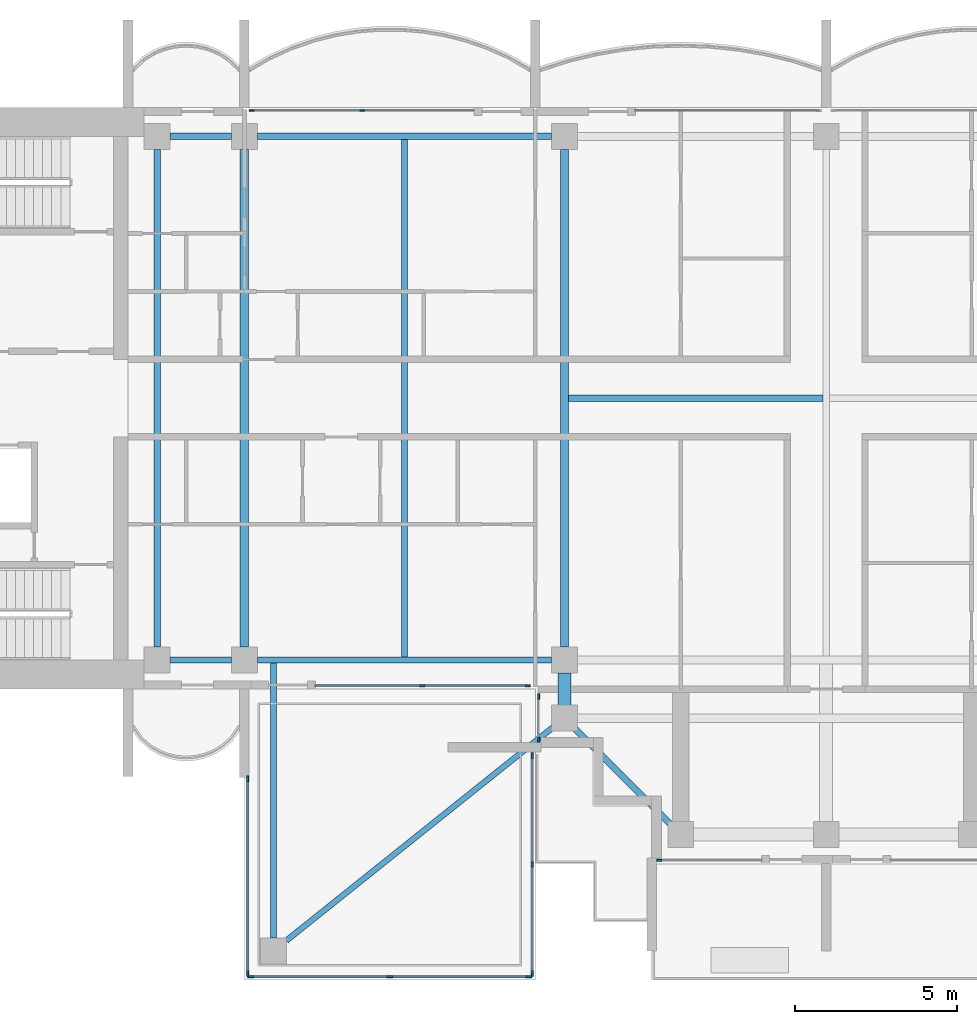
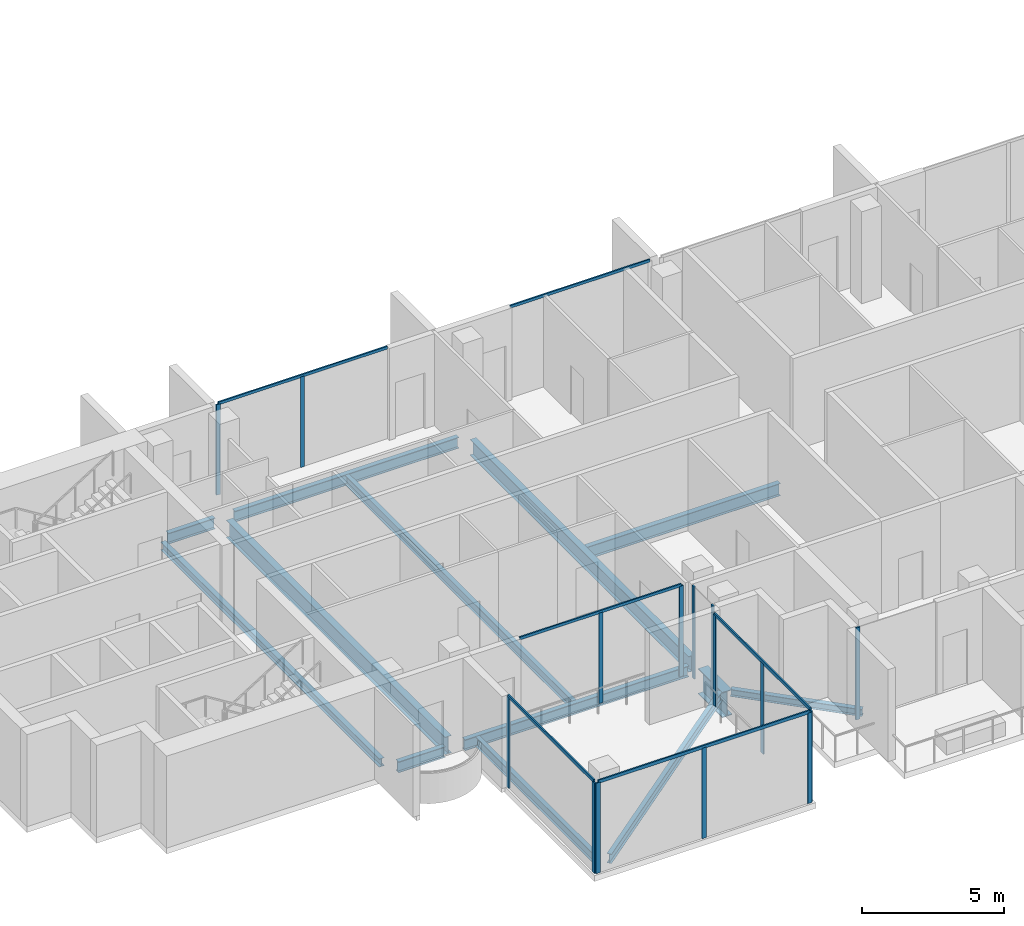
# One storey, part 2 of 16: 21 members, 13 beams, 8 elements without a shape of their own.
"""IFC4 building model written with IfcOpenShell, lengths in metres."""

from ifc_helpers import new_model, si_unit, direction, frame, origin, origin_2d, place, context, subcontext, project, spatial, rectangle, i_section, extrude, material, material_profile, profile_set, type_object, element, aggregate, save


model = new_model("IFC4")

# Units and contexts
model_context = context("Model", 3, precision=1e-05, world=origin(), true_north=direction((0.0, 1.0)))
body_context = subcontext(model_context, "Body", "Model", "MODEL_VIEW")
ifc_project = project(units=[si_unit("LENGTHUNIT", "METRE"), si_unit("AREAUNIT", "SQUARE_METRE"), si_unit("VOLUMEUNIT", "CUBIC_METRE"), si_unit("PLANEANGLEUNIT", "RADIAN"), si_unit("MASSUNIT", "GRAM", prefix="KILO")], contexts=[model_context])

# Site, building, storey
site_placement = place(None, origin())
site = spatial("IfcSite", under=ifc_project, at=site_placement, CompositionType="ELEMENT")
building_placement = place(site_placement, origin())
building = spatial("IfcBuilding", under=site, at=building_placement, Name="Perihelion Cross Residences", CompositionType="ELEMENT")
storey_placement = place(building_placement, frame((0.0, 0.0, 290.39990234375)))
storey = spatial("IfcBuildingStorey", under=building, at=storey_placement, Name="L74", CompositionType="ELEMENT", Elevation=290.39990234375)

# Curtain wall, members
ifc_material_1 = material(Name="Bronze anodised aluminium, tinted glazing", Category="aluminium")
curtain_wall_type_1 = type_object("IfcCurtainWallType", Name="CW1", PredefinedType="NOTDEFINED", material=ifc_material_1)
curtain_wall_1_placement = place(storey_placement, origin())
curtain_wall_1 = element("IfcCurtainWall", 1, at=curtain_wall_1_placement, inside=storey, type_object=curtain_wall_type_1, Name="Curtain wall CW1 L74 west side north bay 1", PredefinedType="NOTDEFINED")
ifc_material_2 = material(Name="Bronze anodised aluminium", Category="aluminium")
ifc_material_profile_1 = material_profile(ifc_material_2, rectangle(XDim=0.06005859375, YDim=0.159912109375, at=origin_2d()), Name="CW1 mullion")
ifc_profile_set_1 = profile_set([ifc_material_profile_1], Name="Bronze anodised aluminium")
member_type_1 = type_object("IfcMemberType", Name="CW1 mullion", PredefinedType="MULLION", material=ifc_profile_set_1)
member_1_placement = place(storey_placement, frame((-14.35009765625, 8.89990234375, 0.0), z_axis=(0.0, 0.0, 1.0), x_axis=(0.0, -1.0, 0.0)))
member_1 = element("IfcMember", 2, at=member_1_placement, type_object=member_type_1, Name="CW1 mullion 2", PredefinedType="MULLION", context=body_context, shape_type="SweptSolid", body=[
    extrude(rectangle(XDim=0.06005859375, YDim=0.159912109375, at=origin_2d()), origin(), (0.0, 0.0, 1.0), 3.89013671875),
])
member_2_placement = place(storey_placement, frame((-17.77001953125, 8.89990234375, 0.0), z_axis=(0.0, 0.0, 1.0), x_axis=(0.0, -1.0, 0.0)))
member_2 = element("IfcMember", 3, at=member_2_placement, type_object=member_type_1, Name="CW1 mullion 3", PredefinedType="MULLION", context=body_context, shape_type="SweptSolid", body=[
    extrude(rectangle(XDim=0.06005859375, YDim=0.159912109375, at=origin_2d()), origin(), (0.0, 0.0, 1.0), 3.89013671875),
])

curtain_wall_2_placement = place(storey_placement, origin())
curtain_wall_2 = element("IfcCurtainWall", 4, at=curtain_wall_2_placement, inside=storey, type_object=curtain_wall_type_1, Name="Curtain wall CW1 L74 west side south bay 2", PredefinedType="NOTDEFINED")
member_3_placement = place(storey_placement, frame((-12.5, -8.89990234375, 0.0), z_axis=(0.0, 0.0, 1.0), x_axis=(0.0, 1.0, 0.0)))
member_3 = element("IfcMember", 5, at=member_3_placement, type_object=member_type_1, Name="CW1 mullion 2", PredefinedType="MULLION", context=body_context, shape_type="SweptSolid", body=[
    extrude(rectangle(XDim=0.06005859375, YDim=0.159912109375, at=origin_2d()), origin(), (0.0, 0.0, 1.0), 3.89013671875),
])
member_4_placement = place(storey_placement, frame((-9.22998046875, -8.89990234375, 0.0), z_axis=(0.0, 0.0, 1.0), x_axis=(0.0, 1.0, 0.0)))
member_4 = element("IfcMember", 6, at=member_4_placement, type_object=member_type_1, Name="CW1 mullion 3", PredefinedType="MULLION", context=body_context, shape_type="SweptSolid", body=[
    extrude(rectangle(XDim=0.06005859375, YDim=0.159912109375, at=origin_2d()), origin(), (0.0, 0.0, 1.0), 3.89013671875),
])

curtain_wall_3_placement = place(storey_placement, origin())
curtain_wall_3 = element("IfcCurtainWall", 7, at=curtain_wall_3_placement, inside=storey, type_object=curtain_wall_type_1, Name="Curtain wall CW1 L74 south side west bay 1", PredefinedType="NOTDEFINED")
member_5_placement = place(storey_placement, frame((-8.89990234375, -9.22998046875, 0.0), z_axis=(0.0, 0.0, 1.0), x_axis=(1.0, 0.0, 0.0)))
member_5 = element("IfcMember", 8, at=member_5_placement, type_object=member_type_1, Name="CW1 mullion 1", PredefinedType="MULLION", context=body_context, shape_type="SweptSolid", body=[
    extrude(rectangle(XDim=0.06005859375, YDim=0.159912109375, at=origin_2d()), origin(), (0.0, 0.0, 1.0), 3.9501953125),
])
member_6_placement = place(storey_placement, frame((-8.89990234375, -10.570068359375, 0.0), z_axis=(0.0, 0.0, 1.0), x_axis=(1.0, 0.0, 0.0)))
member_6 = element("IfcMember", 9, at=member_6_placement, type_object=member_type_1, Name="CW1 mullion 2", PredefinedType="MULLION", context=body_context, shape_type="SweptSolid", body=[
    extrude(rectangle(XDim=0.06005859375, YDim=0.159912109375, at=origin_2d()), origin(), (0.0, 0.0, 1.0), 3.9501953125),
])
aggregate(curtain_wall_3, [member_5, member_6])

# Curtain wall, member
curtain_wall_4_placement = place(storey_placement, origin())
curtain_wall_4 = element("IfcCurtainWall", 10, at=curtain_wall_4_placement, inside=storey, type_object=curtain_wall_type_1, Name="Curtain wall CW1 L74 south tip south bay 1", PredefinedType="NOTDEFINED")
member_7_placement = place(storey_placement, frame((-5.169921875, -14.300048828125, 0.0), z_axis=(0.0, 0.0, 1.0), x_axis=(0.0, 1.0, 0.0)))
member_7 = element("IfcMember", 11, at=member_7_placement, type_object=member_type_1, Name="CW1 mullion 1", PredefinedType="MULLION", context=body_context, shape_type="SweptSolid", body=[
    extrude(rectangle(XDim=0.06005859375, YDim=0.159912109375, at=origin_2d()), origin(), (0.0, 0.0, 1.0), 3.9501953125),
])
aggregate(curtain_wall_4, [member_7])

curtain_wall_5_placement = place(storey_placement, origin())
curtain_wall_5 = element("IfcCurtainWall", 12, at=curtain_wall_5_placement, inside=storey, type_object=curtain_wall_type_1, Name="Curtain wall CW1 L74 north side east bay 2", PredefinedType="NOTDEFINED")
ifc_material_3 = material(Name="Bronze anodised aluminium", Category="aluminium")
ifc_material_profile_2 = material_profile(ifc_material_3, rectangle(XDim=0.06005859375, YDim=0.1201171875, at=origin_2d()), Name="CW1 transom")
ifc_profile_set_2 = profile_set([ifc_material_profile_2], Name="Bronze anodised aluminium")
member_type_2 = type_object("IfcMemberType", Name="CW1 transom", PredefinedType="USERDEFINED", material=ifc_profile_set_2)
member_8_placement = place(storey_placement, frame((-0.22998046875, 8.89990234375, 3.920166015625), z_axis=(-1.0, 0.0, 0.0), x_axis=(0.0, -1.0, 0.0)))
member_8 = element("IfcMember", 13, at=member_8_placement, type_object=member_type_2, Name="CW1 head transom", ObjectType="TRANSOM", PredefinedType="USERDEFINED", context=body_context, shape_type="SweptSolid", body=[
    extrude(rectangle(XDim=0.06005859375, YDim=0.1201171875, at=origin_2d()), origin(), (0.0, 0.0, 1.0), 5.669921875),
])
aggregate(curtain_wall_5, [member_8])

# Member
member_9_placement = place(storey_placement, frame((-10.89990234375, 8.89990234375, 3.920166015625), z_axis=(-1.0, 0.0, 0.0), x_axis=(0.0, -1.0, 0.0)))
member_9 = element("IfcMember", 14, at=member_9_placement, type_object=member_type_2, Name="CW1 head transom", ObjectType="TRANSOM", PredefinedType="USERDEFINED", context=body_context, shape_type="SweptSolid", body=[
    extrude(rectangle(XDim=0.06005859375, YDim=0.1201171875, at=origin_2d()), origin(), (0.0, 0.0, 1.0), 6.8701171875),
])

aggregate(curtain_wall_1, [member_1, member_2, member_9])

member_10_placement = place(storey_placement, frame((-15.800048828125, -8.89990234375, 3.920166015625), z_axis=(1.0, 0.0, 0.0), x_axis=(0.0, 1.0, 0.0)))
member_10 = element("IfcMember", 15, at=member_10_placement, type_object=member_type_2, Name="CW1 head transom", ObjectType="TRANSOM", PredefinedType="USERDEFINED", context=body_context, shape_type="SweptSolid", body=[
    extrude(rectangle(XDim=0.06005859375, YDim=0.1201171875, at=origin_2d()), origin(), (0.0, 0.0, 1.0), 6.570068359375),
])

aggregate(curtain_wall_2, [member_3, member_4, member_10])

# Curtain wall, members
ifc_material_4 = material(Name="Bronze anodised aluminium, tinted glazing", Category="aluminium")
curtain_wall_type_2 = type_object("IfcCurtainWallType", Name="CW4", PredefinedType="NOTDEFINED", material=ifc_material_4)
curtain_wall_6_placement = place(storey_placement, origin())
curtain_wall_6 = element("IfcCurtainWall", 16, at=curtain_wall_6_placement, inside=storey, type_object=curtain_wall_type_2, Name="Curtain wall CW4 L74 pocket south-west 1 1", PredefinedType="NOTDEFINED")
ifc_material_5 = material(Name="Bronze anodised aluminium", Category="aluminium")
ifc_material_profile_3 = material_profile(ifc_material_5, rectangle(XDim=0.06005859375, YDim=0.179931640625, at=origin_2d()), Name="CW4 mullion")
ifc_profile_set_3 = profile_set([ifc_material_profile_3], Name="Bronze anodised aluminium")
member_type_3 = type_object("IfcMemberType", Name="CW4 mullion", PredefinedType="MULLION", material=ifc_profile_set_3)
member_11_placement = place(storey_placement, frame((-9.10009765625, -11.058837890625, 0.0), z_axis=(0.0, 0.0, 1.0), x_axis=(1.0, 0.0, 0.0)))
member_11 = element("IfcMember", 17, at=member_11_placement, type_object=member_type_3, Name="CW4 mullion 1", PredefinedType="MULLION", context=body_context, shape_type="SweptSolid", body=[
    extrude(rectangle(XDim=0.06005859375, YDim=0.179931640625, at=origin_2d()), origin(), (0.0, 0.0, 1.0), 3.89013671875),
])
member_12_placement = place(storey_placement, frame((-9.10009765625, -14.429443359375, 0.0), z_axis=(0.0, 0.0, 1.0), x_axis=(1.0, 0.0, 0.0)))
member_12 = element("IfcMember", 18, at=member_12_placement, type_object=member_type_3, Name="CW4 mullion 2", PredefinedType="MULLION", context=body_context, shape_type="SweptSolid", body=[
    extrude(rectangle(XDim=0.06005859375, YDim=0.179931640625, at=origin_2d()), origin(), (0.0, 0.0, 1.0), 3.89013671875),
])
member_13_placement = place(storey_placement, frame((-9.10009765625, -17.800048828125, 0.0), z_axis=(0.0, 0.0, 1.0), x_axis=(1.0, 0.0, 0.0)))
member_13 = element("IfcMember", 19, at=member_13_placement, type_object=member_type_3, Name="CW4 mullion 3", PredefinedType="MULLION", context=body_context, shape_type="SweptSolid", body=[
    extrude(rectangle(XDim=0.06005859375, YDim=0.179931640625, at=origin_2d()), origin(), (0.0, 0.0, 1.0), 3.89013671875),
])

curtain_wall_7_placement = place(storey_placement, origin())
curtain_wall_7 = element("IfcCurtainWall", 20, at=curtain_wall_7_placement, inside=storey, type_object=curtain_wall_type_2, Name="Curtain wall CW4 L74 pocket south-west 1 2", PredefinedType="NOTDEFINED")
member_14_placement = place(storey_placement, frame((-9.199951171875, -17.89990234375, 0.0), z_axis=(0.0, 0.0, 1.0), x_axis=(0.0, -1.0, 0.0)))
member_14 = element("IfcMember", 21, at=member_14_placement, type_object=member_type_3, Name="CW4 mullion 1", PredefinedType="MULLION", context=body_context, shape_type="SweptSolid", body=[
    extrude(rectangle(XDim=0.06005859375, YDim=0.179931640625, at=origin_2d()), origin(), (0.0, 0.0, 1.0), 3.89013671875),
])
member_15_placement = place(storey_placement, frame((-13.5, -17.89990234375, 0.0), z_axis=(0.0, 0.0, 1.0), x_axis=(0.0, -1.0, 0.0)))
member_15 = element("IfcMember", 22, at=member_15_placement, type_object=member_type_3, Name="CW4 mullion 2", PredefinedType="MULLION", context=body_context, shape_type="SweptSolid", body=[
    extrude(rectangle(XDim=0.06005859375, YDim=0.179931640625, at=origin_2d()), origin(), (0.0, 0.0, 1.0), 3.89013671875),
])
member_16_placement = place(storey_placement, frame((-17.800048828125, -17.89990234375, 0.0), z_axis=(0.0, 0.0, 1.0), x_axis=(0.0, -1.0, 0.0)))
member_16 = element("IfcMember", 23, at=member_16_placement, type_object=member_type_3, Name="CW4 mullion 3", PredefinedType="MULLION", context=body_context, shape_type="SweptSolid", body=[
    extrude(rectangle(XDim=0.06005859375, YDim=0.179931640625, at=origin_2d()), origin(), (0.0, 0.0, 1.0), 3.89013671875),
])

curtain_wall_8_placement = place(storey_placement, origin())
curtain_wall_8 = element("IfcCurtainWall", 24, at=curtain_wall_8_placement, inside=storey, type_object=curtain_wall_type_2, Name="Curtain wall CW4 L74 pocket south-west 1 3", PredefinedType="NOTDEFINED")
member_17_placement = place(storey_placement, frame((-17.89990234375, -17.800048828125, 0.0), z_axis=(0.0, 0.0, 1.0), x_axis=(-1.0, 0.0, 0.0)))
member_17 = element("IfcMember", 25, at=member_17_placement, type_object=member_type_3, Name="CW4 mullion 1", PredefinedType="MULLION", context=body_context, shape_type="SweptSolid", body=[
    extrude(rectangle(XDim=0.06005859375, YDim=0.179931640625, at=origin_2d()), origin(), (0.0, 0.0, 1.0), 3.89013671875),
])
member_18_placement = place(storey_placement, frame((-17.89990234375, -11.77001953125, 0.0), z_axis=(0.0, 0.0, 1.0), x_axis=(-1.0, 0.0, 0.0)))
member_18 = element("IfcMember", 26, at=member_18_placement, type_object=member_type_3, Name="CW4 mullion 2", PredefinedType="MULLION", context=body_context, shape_type="SweptSolid", body=[
    extrude(rectangle(XDim=0.06005859375, YDim=0.179931640625, at=origin_2d()), origin(), (0.0, 0.0, 1.0), 3.89013671875),
])

# Member
ifc_material_6 = material(Name="Bronze anodised aluminium", Category="aluminium")
ifc_material_profile_4 = material_profile(ifc_material_6, rectangle(XDim=0.06005859375, YDim=0.139892578125, at=origin_2d()), Name="CW4 transom")
ifc_profile_set_4 = profile_set([ifc_material_profile_4], Name="Bronze anodised aluminium")
member_type_4 = type_object("IfcMemberType", Name="CW4 transom", PredefinedType="USERDEFINED", material=ifc_profile_set_4)
member_19_placement = place(storey_placement, frame((-9.10009765625, -11.058837890625, 3.920166015625), z_axis=(0.0, -1.0, 0.0), x_axis=(1.0, 0.0, 0.0)))
member_19 = element("IfcMember", 27, at=member_19_placement, type_object=member_type_4, Name="CW4 head transom", ObjectType="TRANSOM", PredefinedType="USERDEFINED", context=body_context, shape_type="SweptSolid", body=[
    extrude(rectangle(XDim=0.06005859375, YDim=0.139892578125, at=origin_2d()), origin(), (0.0, 0.0, 1.0), 6.7412109375),
])

aggregate(curtain_wall_6, [member_11, member_12, member_13, member_19])

member_20_placement = place(storey_placement, frame((-9.199951171875, -17.89990234375, 3.920166015625), z_axis=(-1.0, 0.0, 0.0), x_axis=(0.0, -1.0, 0.0)))
member_20 = element("IfcMember", 28, at=member_20_placement, type_object=member_type_4, Name="CW4 head transom", ObjectType="TRANSOM", PredefinedType="USERDEFINED", context=body_context, shape_type="SweptSolid", body=[
    extrude(rectangle(XDim=0.06005859375, YDim=0.139892578125, at=origin_2d()), origin(), (0.0, 0.0, 1.0), 8.60009765625),
])

aggregate(curtain_wall_7, [member_14, member_15, member_16, member_20])

member_21_placement = place(storey_placement, frame((-17.89990234375, -17.800048828125, 3.920166015625), z_axis=(0.0, 1.0, 0.0), x_axis=(-1.0, 0.0, 0.0)))
member_21 = element("IfcMember", 29, at=member_21_placement, type_object=member_type_4, Name="CW4 head transom", ObjectType="TRANSOM", PredefinedType="USERDEFINED", context=body_context, shape_type="SweptSolid", body=[
    extrude(rectangle(XDim=0.06005859375, YDim=0.139892578125, at=origin_2d()), origin(), (0.0, 0.0, 1.0), 6.030029296875),
])

aggregate(curtain_wall_8, [member_17, member_18, member_21])

# Beams
ifc_material_7 = material(Name="Steel S355", Category="steel")
ifc_material_profile_5 = material_profile(ifc_material_7, i_section(OverallWidth=0.205078125, OverallDepth=0.35302734375, WebThickness=0.009521484375, FlangeThickness=0.016845703125, at=origin_2d()), Name="W360x79")
ifc_profile_set_5 = profile_set([ifc_material_profile_5], Name="Steel S355")
beam_type_1 = type_object("IfcBeamType", Name="Core edge beam W360x79", PredefinedType="BEAM", material=ifc_profile_set_5)
beam_1_placement = place(storey_placement, frame((-20.699951171875, -7.699951171875, -0.426513671875), z_axis=(0.0, 1.0, 0.0), x_axis=(-1.0, 0.0, 0.0)))
element("IfcBeam", 30, at=beam_1_placement, inside=storey, type_object=beam_type_1, Name="Core edge beam TB7 L74 no. 1", PredefinedType="BEAM", context=body_context, shape_type="SweptSolid", body=[
    extrude(i_section(OverallWidth=0.205078125, OverallDepth=0.35302734375, WebThickness=0.009521484375, FlangeThickness=0.016845703125, at=origin_2d()), origin(), (0.0, 0.0, 1.0), 15.39990234375),
])
ifc_material_8 = material(Name="Steel S355", Category="steel")
ifc_material_profile_6 = material_profile(ifc_material_8, i_section(OverallWidth=0.177978515625, OverallDepth=0.406005859375, WebThickness=0.0078125, FlangeThickness=0.0126953125, at=origin_2d()), Name="W410x60")
ifc_profile_set_6 = profile_set([ifc_material_profile_6], Name="Steel S355")
beam_type_2 = type_object("IfcBeamType", Name="Core edge beam W410x60", PredefinedType="BEAM", material=ifc_profile_set_6)
beam_2_placement = place(storey_placement, frame((-17.10009765625, -8.197021484375, -0.452880859375), z_axis=(0.0, -1.0, 0.0), x_axis=(1.0, 0.0, 0.0)))
element("IfcBeam", 31, at=beam_2_placement, inside=storey, type_object=beam_type_2, Name="Core edge beam TB2 L74 corner no. 1", PredefinedType="BEAM", context=body_context, shape_type="SweptSolid", body=[
    extrude(i_section(OverallWidth=0.177978515625, OverallDepth=0.406005859375, WebThickness=0.0078125, FlangeThickness=0.0126953125, at=origin_2d()), origin(), (0.0, 0.0, 1.0), 8.5029296875),
])
beam_3_placement = place(storey_placement, frame((-8.300537109375, -10.060302734375, -0.452880859375), z_axis=(-0.780859952085, -0.624706119091, 0.0), x_axis=(0.624706119091, -0.780859952085, 0.0)))
element("IfcBeam", 32, at=beam_3_placement, inside=storey, type_object=beam_type_2, Name="Core edge beam TB2 L74 corner no. 2", PredefinedType="BEAM", context=body_context, shape_type="SweptSolid", body=[
    extrude(i_section(OverallWidth=0.177978515625, OverallDepth=0.406005859375, WebThickness=0.0078125, FlangeThickness=0.0126953125, at=origin_2d()), origin(), (0.0, 0.0, 1.0), 10.756591796875),
])
ifc_material_9 = material(Name="Steel S355", Category="steel")
ifc_material_profile_7 = material_profile(ifc_material_9, i_section(OverallWidth=0.194091796875, OverallDepth=0.469970703125, WebThickness=0.0126953125, FlangeThickness=0.0205078125, at=origin_2d()), Name="W460x106")
ifc_profile_set_7 = profile_set([ifc_material_profile_7], Name="Steel S355")
beam_type_3 = type_object("IfcBeamType", Name="Edge beam W460x106", PredefinedType="SPANDREL", material=ifc_profile_set_7)
beam_4_placement = place(storey_placement, frame((-8.5, 8.10009765625, -0.48486328125), z_axis=(-1.0, 0.0, 0.0), x_axis=(0.0, -1.0, 0.0)))
element("IfcBeam", 33, at=beam_4_placement, inside=storey, type_object=beam_type_3, Name="Edge beam SB5 L74 no. 4", PredefinedType="SPANDREL", context=body_context, shape_type="SweptSolid", body=[
    extrude(i_section(OverallWidth=0.194091796875, OverallDepth=0.469970703125, WebThickness=0.0126953125, FlangeThickness=0.0205078125, at=origin_2d()), origin(), (0.0, 0.0, 1.0), 9.10009765625),
])
for number, where, z_axis, x_axis, name in (
    (34, (-18.39990234375, 8.10009765625, -0.48486328125), (-1.0, 0.0, 0.0), (0.0, -1.0, 0.0), "Edge beam SB5 L74 no. 2"),
    (35, (-20.300048828125, -8.10009765625, -0.48486328125), (1.0, 0.0, 0.0), (0.0, 1.0, 0.0), "Edge beam SB5 L74 no. 3"),
):
    element("IfcBeam", number, at=place(storey_placement, frame(where, z_axis=z_axis, x_axis=x_axis)), inside=storey, type_object=beam_type_3, Name=name, PredefinedType="SPANDREL", context=body_context, shape_type="SweptSolid", body=[
        extrude(i_section(OverallWidth=0.194091796875, OverallDepth=0.469970703125, WebThickness=0.0126953125, FlangeThickness=0.0205078125, at=origin_2d()), origin(), (0.0, 0.0, 1.0), 1.900146484375),
    ])
beam_5_placement = place(storey_placement, frame((-17.60009765625, -8.10009765625, -0.48486328125), z_axis=(1.0, 0.0, 0.0), x_axis=(0.0, 1.0, 0.0)))
element("IfcBeam", 36, at=beam_5_placement, inside=storey, type_object=beam_type_3, Name="Edge beam SB5 L74 no. 1", PredefinedType="SPANDREL", context=body_context, shape_type="SweptSolid", body=[
    extrude(i_section(OverallWidth=0.194091796875, OverallDepth=0.469970703125, WebThickness=0.0126953125, FlangeThickness=0.0205078125, at=origin_2d()), origin(), (0.0, 0.0, 1.0), 9.10009765625),
])
ifc_material_10 = material(Name="Steel S355", Category="steel")
ifc_material_profile_8 = material_profile(ifc_material_10, i_section(OverallWidth=0.26708984375, OverallDepth=0.75390625, WebThickness=0.01318359375, FlangeThickness=0.01708984375, at=origin_2d()), Name="W760x147")
ifc_profile_set_8 = profile_set([ifc_material_profile_8], Name="Steel S355")
beam_type_4 = type_object("IfcBeamType", Name="Floor girder W760x147", PredefinedType="BEAM", material=ifc_profile_set_8)
beam_6_placement = place(storey_placement, frame((-18.0, -7.699951171875, -0.626953125), z_axis=(0.0, 1.0, 0.0), x_axis=(-1.0, 0.0, 0.0)))
element("IfcBeam", 37, at=beam_6_placement, inside=storey, type_object=beam_type_4, Name="Girder G5 L74 no. 1", PredefinedType="BEAM", context=body_context, shape_type="SweptSolid", body=[
    extrude(i_section(OverallWidth=0.26708984375, OverallDepth=0.75390625, WebThickness=0.01318359375, FlangeThickness=0.01708984375, at=origin_2d()), origin(), (0.0, 0.0, 1.0), 15.39990234375),
])
ifc_material_11 = material(Name="Steel S355", Category="steel")
ifc_material_profile_9 = material_profile(ifc_material_11, i_section(OverallWidth=0.177978515625, OverallDepth=0.406005859375, WebThickness=0.0078125, FlangeThickness=0.0126953125, at=origin_2d()), Name="W410x60")
ifc_profile_set_9 = profile_set([ifc_material_profile_9], Name="Steel S355")
beam_type_5 = type_object("IfcBeamType", Name="Floor joist W410x60", PredefinedType="JOIST", material=ifc_profile_set_9)
beam_7_placement = place(storey_placement, frame((-13.050048828125, -8.0029296875, -0.452880859375), z_axis=(0.0, 1.0, 0.0), x_axis=(-1.0, 0.0, 0.0)))
element("IfcBeam", 38, at=beam_7_placement, inside=storey, type_object=beam_type_5, Name="Joist J6 L74 no. 1", PredefinedType="JOIST", context=body_context, shape_type="SweptSolid", body=[
    extrude(i_section(OverallWidth=0.177978515625, OverallDepth=0.406005859375, WebThickness=0.0078125, FlangeThickness=0.0126953125, at=origin_2d()), origin(), (0.0, 0.0, 1.0), 16.005859375),
])
ifc_material_12 = material(Name="Steel S355", Category="steel")
ifc_material_profile_10 = material_profile(ifc_material_12, i_section(OverallWidth=0.208984375, OverallDepth=0.532958984375, WebThickness=0.01025390625, FlangeThickness=0.015625, at=origin_2d()), Name="W530x92")
ifc_profile_set_10 = profile_set([ifc_material_profile_10], Name="Steel S355")
beam_type_6 = type_object("IfcBeamType", Name="Hub cross beam W530x92", PredefinedType="BEAM", material=ifc_profile_set_10)
beam_8_placement = place(storey_placement, frame((-7.972900390625, 0.0, -0.516357421875), z_axis=(1.0, 0.0, 0.0), x_axis=(0.0, 1.0, 0.0)))
element("IfcBeam", 39, at=beam_8_placement, inside=storey, type_object=beam_type_6, Name="Hub cross beam XB5 L74 1 no. 1", PredefinedType="BEAM", context=body_context, shape_type="SweptSolid", body=[
    extrude(i_section(OverallWidth=0.208984375, OverallDepth=0.532958984375, WebThickness=0.01025390625, FlangeThickness=0.015625, at=origin_2d()), origin(), (0.0, 0.0, 1.0), 7.868408203125),
])
ifc_material_13 = material(Name="Steel S355", Category="steel")
ifc_material_profile_11 = material_profile(ifc_material_13, i_section(OverallWidth=0.25390625, OverallDepth=0.677978515625, WebThickness=0.01171875, FlangeThickness=0.016357421875, at=origin_2d()), Name="W690x125")
ifc_profile_set_11 = profile_set([ifc_material_profile_11], Name="Steel S355")
beam_type_7 = type_object("IfcBeamType", Name="Hub ring girder W690x125", PredefinedType="BEAM", material=ifc_profile_set_11)
beam_9_placement = place(storey_placement, frame((-8.10009765625, 7.699951171875, -0.5888671875), z_axis=(0.0, -1.0, 0.0), x_axis=(1.0, 0.0, 0.0)))
element("IfcBeam", 40, at=beam_9_placement, inside=storey, type_object=beam_type_7, Name="Hub ring girder RG5 L74 no. 2", PredefinedType="BEAM", context=body_context, shape_type="SweptSolid", body=[
    extrude(i_section(OverallWidth=0.25390625, OverallDepth=0.677978515625, WebThickness=0.01171875, FlangeThickness=0.016357421875, at=origin_2d()), origin(), (0.0, 0.0, 1.0), 15.39990234375),
])
ifc_material_14 = material(Name="Steel S355", Category="steel")
ifc_material_profile_12 = material_profile(ifc_material_14, i_section(OverallWidth=0.202880859375, OverallDepth=0.302001953125, WebThickness=0.007568359375, FlangeThickness=0.01318359375, at=origin_2d()), Name="W310x60")
ifc_profile_set_12 = profile_set([ifc_material_profile_12], Name="Steel S355")
beam_type_8 = type_object("IfcBeamType", Name="Serration edge beam W310x60", PredefinedType="BEAM", material=ifc_profile_set_12)
beam_10_placement = place(storey_placement, frame((-7.8994140625, -10.1005859375, -0.40087890625), z_axis=(0.707106781187, -0.707106781187, 0.0), x_axis=(0.707106781187, 0.707106781187, 0.0)))
element("IfcBeam", 41, at=beam_10_placement, inside=storey, type_object=beam_type_8, Name="Serration edge beam EB5 L74 no. 1", PredefinedType="BEAM", context=body_context, shape_type="SweptSolid", body=[
    extrude(i_section(OverallWidth=0.202880859375, OverallDepth=0.302001953125, WebThickness=0.007568359375, FlangeThickness=0.01318359375, at=origin_2d()), origin(), (0.0, 0.0, 1.0), 4.8076171875),
])
ifc_material_15 = material(Name="Steel S355", Category="steel")
ifc_material_profile_13 = material_profile(ifc_material_15, i_section(OverallWidth=0.40087890625, OverallDepth=1.090087890625, WebThickness=0.01806640625, FlangeThickness=0.031005859375, at=origin_2d()), Name="W1100x343")
ifc_profile_set_13 = profile_set([ifc_material_profile_13], Name="Steel S355")
beam_type_9 = type_object("IfcBeamType", Name="Transfer girder W1100x343", PredefinedType="BEAM", material=ifc_profile_set_13)
beam_11_placement = place(storey_placement, frame((-8.10009765625, -10.199951171875, -0.794921875), z_axis=(0.0, 1.0, 0.0), x_axis=(-1.0, 0.0, 0.0)))
element("IfcBeam", 42, at=beam_11_placement, inside=storey, type_object=beam_type_9, Name="Girder TG1 L74 transfer no. 1", PredefinedType="BEAM", context=body_context, shape_type="SweptSolid", body=[
    extrude(i_section(OverallWidth=0.40087890625, OverallDepth=1.090087890625, WebThickness=0.01806640625, FlangeThickness=0.031005859375, at=origin_2d()), origin(), (0.0, 0.0, 1.0), 1.699951171875),
])

save(model, "model.ifc")
